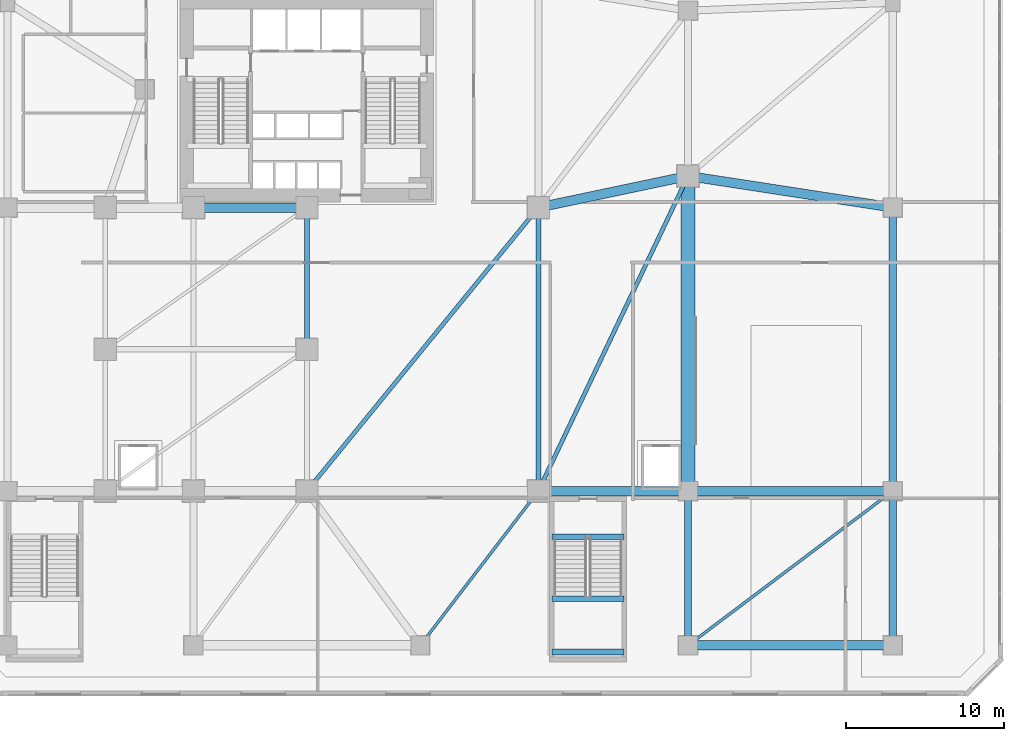
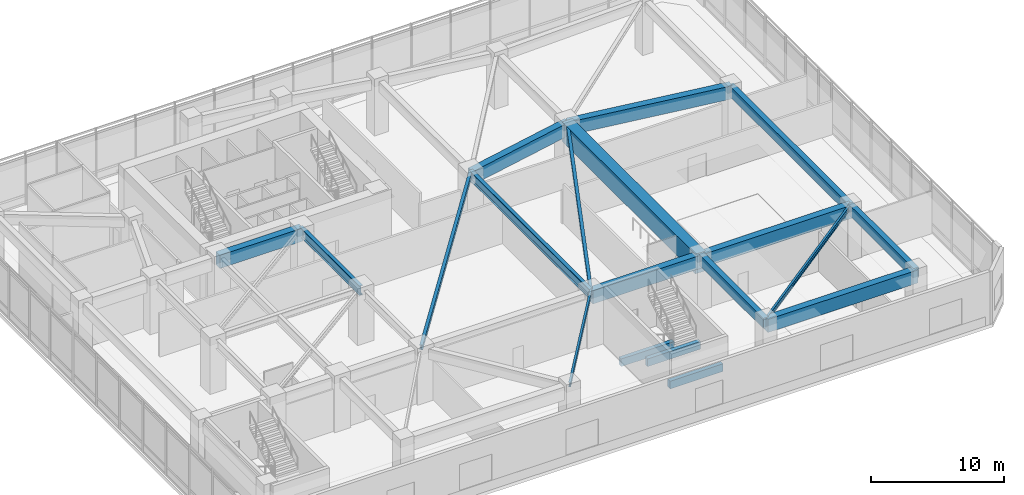
# One storey, part 4 of 15: 19 beams.
"""IFC4 building model written with IfcOpenShell, lengths in metres."""

from ifc_helpers import new_model, si_unit, direction, frame, origin, origin_2d, place, context, subcontext, project, spatial, rectangle, i_section, extrude, source, transform, mapped, material, material_profile, profile_set, type_object, element, save


model = new_model("IFC4")

# Units and contexts
model_context = context("Model", 3, precision=1e-05, world=origin(), true_north=direction((0.0, 1.0)))
body_context = subcontext(model_context, "Body", "Model", "MODEL_VIEW")
ifc_project = project(units=[si_unit("LENGTHUNIT", "METRE"), si_unit("AREAUNIT", "SQUARE_METRE"), si_unit("VOLUMEUNIT", "CUBIC_METRE"), si_unit("PLANEANGLEUNIT", "RADIAN"), si_unit("MASSUNIT", "GRAM", prefix="KILO")], contexts=[model_context])

# Site, building, storey
site_placement = place(None, origin())
site = spatial("IfcSite", under=ifc_project, at=site_placement, CompositionType="ELEMENT")
building_placement = place(site_placement, origin())
building = spatial("IfcBuilding", under=site, at=building_placement, Name="Calvemar Wedge Station Tower", CompositionType="ELEMENT")
storey_placement = place(building_placement, frame((0.0, 0.0, 16.39990234375)))
storey = spatial("IfcBuildingStorey", under=building, at=storey_placement, Name="L04", CompositionType="ELEMENT", Elevation=16.39990234375)

# Beams
ifc_material_1 = material(Name="Concrete C70", Category="concrete")
ifc_material_profile_1 = material_profile(ifc_material_1, rectangle(XDim=0.35009765625, YDim=0.699951171875, at=origin_2d()), Name="RC350x700")
ifc_profile_set_1 = profile_set([ifc_material_profile_1], Name="Concrete C70")
beam_type_1 = type_object("IfcBeamType", Name="BM-LN1-700", PredefinedType="LINTEL", material=ifc_profile_set_1)
shared_shape_1 = source(origin(), body_context, "Body", "SweptSolid", [
    extrude(rectangle(XDim=0.35009765625, YDim=0.699951171875, at=origin_2d()), origin(), (0.0, 0.0, 1.0), 4.599853515625),
])
for number, where, z_axis, x_axis, name in (
    (1, (39.35009765625, 12.10009765625, -0.349853515625), (1.0, 0.0, 0.0), (0.0, 1.0, 0.0), "Storey L04 Stair ST-P2 Landing Trimmer Beam"),
    (2, (39.35009765625, 4.780029296875, 2.050048828125), (1.0, 0.0, 0.0), (0.0, 1.0, 0.0), "Storey L04 Stair ST-P2 Half-Landing Beam 1A"),
    (3, (39.35009765625, 8.14990234375, 2.050048828125), (1.0, 0.0, 0.0), (0.0, 1.0, 0.0), "Storey L04 Stair ST-P2 Half-Landing Beam 1B"),
):
    element("IfcBeam", number, at=place(storey_placement, frame(where, z_axis=z_axis, x_axis=x_axis)), inside=storey, type_object=beam_type_1, Name=name, PredefinedType="LINTEL", context=body_context, shape_type="MappedRepresentation", body=[
        mapped(shared_shape_1, transform((0.0, 0.0, 0.0), scale=1.0)),
    ])
ifc_material_2 = material(Name="Concrete C60", Category="concrete")
ifc_material_profile_2 = material_profile(ifc_material_2, rectangle(XDim=0.60009765625, YDim=1.199951171875, at=origin_2d()), Name="RC600x1200")
ifc_profile_set_2 = profile_set([ifc_material_profile_2], Name="Concrete C60")
beam_type_2 = type_object("IfcBeamType", Name="BM-G1-1200", PredefinedType="BEAM", material=ifc_profile_set_2)
shared_shape_2 = source(origin(), body_context, "Body", "SweptSolid", [
    extrude(rectangle(XDim=0.60009765625, YDim=1.199951171875, at=origin_2d()), origin(), (0.0, 0.0, 1.0), 13.0),
])
for number, where, z_axis, x_axis, name in (
    (4, (48.0, 5.199951171875, 4.25), (1.0, 0.0, 0.0), (0.0, 1.0, 0.0), "Storey L04 Primary Girder G04"),
    (5, (48.0, 15.0, 4.25), (1.0, 0.0, 0.0), (0.0, 1.0, 0.0), "Storey L04 Primary Girder G10"),
):
    element("IfcBeam", number, at=place(storey_placement, frame(where, z_axis=z_axis, x_axis=x_axis)), inside=storey, type_object=beam_type_2, Name=name, PredefinedType="BEAM", context=body_context, shape_type="MappedRepresentation", body=[
        mapped(shared_shape_2, transform((0.0, 0.0, 0.0), scale=1.0)),
    ])
shared_shape_3 = source(origin(), body_context, "Body", "SweptSolid", [
    extrude(rectangle(XDim=0.60009765625, YDim=1.199951171875, at=origin_2d()), origin(), (0.0, 0.0, 1.0), 7.199951171875),
])
beam_1_placement = place(storey_placement, frame((16.60009765625, 33.0, 4.25), z_axis=(1.0, 0.0, 0.0), x_axis=(0.0, 1.0, 0.0)))
element("IfcBeam", 6, at=beam_1_placement, inside=storey, type_object=beam_type_2, Name="Storey L04 Primary Girder G13", PredefinedType="BEAM", context=body_context, shape_type="MappedRepresentation", body=[
    mapped(shared_shape_3, transform((0.0, 0.0, 0.0), scale=1.0)),
])
shared_shape_4 = source(origin(), body_context, "Body", "SweptSolid", [
    extrude(rectangle(XDim=0.60009765625, YDim=1.199951171875, at=origin_2d()), origin(), (0.0, 0.0, 1.0), 9.5),
])
beam_2_placement = place(storey_placement, frame((38.5, 15.0, 4.25), z_axis=(1.0, 0.0, 0.0), x_axis=(0.0, 1.0, 0.0)))
element("IfcBeam", 7, at=beam_2_placement, inside=storey, type_object=beam_type_2, Name="Storey L04 Primary Girder G09", PredefinedType="BEAM", context=body_context, shape_type="MappedRepresentation", body=[
    mapped(shared_shape_4, transform((0.0, 0.0, 0.0), scale=1.0)),
])
shared_shape_5 = source(origin(), body_context, "Body", "SweptSolid", [
    extrude(rectangle(XDim=0.60009765625, YDim=1.199951171875, at=origin_2d()), origin(), (0.0, 0.0, 1.0), 9.708251953125),
])
beam_3_placement = place(storey_placement, frame((38.5, 33.0, 4.25), z_axis=(0.978549784987, 0.20601048105, 0.0), x_axis=(-0.20601048105, 0.978549784987, 0.0)))
element("IfcBeam", 8, at=beam_3_placement, inside=storey, type_object=beam_type_2, Name="Storey L04 Primary Girder G16", PredefinedType="BEAM", context=body_context, shape_type="MappedRepresentation", body=[
    mapped(shared_shape_5, transform((0.0, 0.0, 0.0), scale=1.0)),
])
shared_shape_6 = source(origin(), body_context, "Body", "SweptSolid", [
    extrude(rectangle(XDim=0.60009765625, YDim=1.199951171875, at=origin_2d()), origin(), (0.0, 0.0, 1.0), 13.15283203125),
])
beam_4_placement = place(storey_placement, frame((48.0, 35.0, 4.25), z_axis=(0.988371697651, -0.152057184254, 0.0), x_axis=(0.152057184254, 0.988371697651, 0.0)))
element("IfcBeam", 9, at=beam_4_placement, inside=storey, type_object=beam_type_2, Name="Storey L04 Primary Girder G17", PredefinedType="BEAM", context=body_context, shape_type="MappedRepresentation", body=[
    mapped(shared_shape_6, transform((0.0, 0.0, 0.0), scale=1.0)),
])
ifc_material_3 = material(Name="Concrete C50", Category="concrete")
ifc_material_profile_3 = material_profile(ifc_material_3, rectangle(XDim=0.449951171875, YDim=0.949951171875, at=origin_2d()), Name="RC450x950")
ifc_profile_set_3 = profile_set([ifc_material_profile_3], Name="Concrete C50")
beam_type_3 = type_object("IfcBeamType", Name="BM-G2-950", PredefinedType="BEAM", material=ifc_profile_set_3)
shared_shape_7 = source(origin(), body_context, "Body", "SweptSolid", [
    extrude(rectangle(XDim=0.449951171875, YDim=0.949951171875, at=origin_2d()), origin(), (0.0, 0.0, 1.0), 18.0),
])
beam_5_placement = place(storey_placement, frame((61.0, 15.0, 4.375), z_axis=(0.0, 1.0, 0.0), x_axis=(-1.0, 0.0, 0.0)))
element("IfcBeam", 10, at=beam_5_placement, inside=storey, type_object=beam_type_3, Name="Storey L04 Primary Girder G26", PredefinedType="BEAM", context=body_context, shape_type="MappedRepresentation", body=[
    mapped(shared_shape_7, transform((0.0, 0.0, 0.0), scale=1.0)),
])
ifc_material_4 = material(Name="Structural steel ASTM A572 Grade 50", Category="steel")
ifc_material_profile_4 = material_profile(ifc_material_4, i_section(OverallWidth=0.303955078125, OverallDepth=0.862060546875, WebThickness=0.019775390625, FlangeThickness=0.035888671875, FilletRadius=0.02001953125, at=origin_2d()), Name="W840x329")
ifc_profile_set_4 = profile_set([ifc_material_profile_4], Name="Structural steel ASTM A572 Grade 50")
beam_type_4 = type_object("IfcBeamType", Name="BM-TR2-W840", PredefinedType="BEAM", material=ifc_profile_set_4)
shared_shape_8 = source(origin(), body_context, "Body", "SweptSolid", [
    extrude(i_section(OverallWidth=0.303955078125, OverallDepth=0.862060546875, WebThickness=0.019775390625, FlangeThickness=0.035888671875, FilletRadius=0.02001953125, at=origin_2d()), origin(), (0.0, 0.0, 1.0), 9.0),
])
beam_6_placement = place(storey_placement, frame((23.800048828125, 24.0, 4.419189453125), z_axis=(0.0, 1.0, 0.0), x_axis=(-1.0, 0.0, 0.0)))
element("IfcBeam", 11, at=beam_6_placement, inside=storey, type_object=beam_type_4, Name="Storey L04 Primary Girder G23", PredefinedType="BEAM", context=body_context, shape_type="MappedRepresentation", body=[
    mapped(shared_shape_8, transform((0.0, 0.0, 0.0), scale=1.0)),
])
shared_shape_9 = source(origin(), body_context, "Body", "SweptSolid", [
    extrude(i_section(OverallWidth=0.303955078125, OverallDepth=0.862060546875, WebThickness=0.019775390625, FlangeThickness=0.035888671875, FilletRadius=0.02001953125, at=origin_2d()), origin(), (0.0, 0.0, 1.0), 18.0),
])
beam_7_placement = place(storey_placement, frame((38.5, 15.0, 4.419189453125), z_axis=(0.0, 1.0, 0.0), x_axis=(-1.0, 0.0, 0.0)))
element("IfcBeam", 12, at=beam_7_placement, inside=storey, type_object=beam_type_4, Name="Storey L04 Primary Girder G24", PredefinedType="BEAM", context=body_context, shape_type="MappedRepresentation", body=[
    mapped(shared_shape_9, transform((0.0, 0.0, 0.0), scale=1.0)),
])
ifc_material_profile_5 = material_profile(ifc_material_2, rectangle(XDim=0.89990234375, YDim=1.800048828125, at=origin_2d()), Name="RC900x1800")
ifc_profile_set_5 = profile_set([ifc_material_profile_5], Name="Concrete C60")
beam_type_5 = type_object("IfcBeamType", Name="BM-TG2-1800", PredefinedType="BEAM", material=ifc_profile_set_5)
shared_shape_10 = source(origin(), body_context, "Body", "SweptSolid", [
    extrude(rectangle(XDim=0.89990234375, YDim=1.800048828125, at=origin_2d()), origin(), (0.0, 0.0, 1.0), 20.0),
])
beam_8_placement = place(storey_placement, frame((48.0, 15.0, 3.9501953125), z_axis=(0.0, 1.0, 0.0), x_axis=(-1.0, 0.0, 0.0)))
element("IfcBeam", 13, at=beam_8_placement, inside=storey, type_object=beam_type_5, Name="Storey L04 Primary Girder G25", PredefinedType="BEAM", context=body_context, shape_type="MappedRepresentation", body=[
    mapped(shared_shape_10, transform((0.0, 0.0, 0.0), scale=1.0)),
])
shared_shape_11 = source(origin(), body_context, "Body", "SweptSolid", [
    extrude(rectangle(XDim=0.449951171875, YDim=0.949951171875, at=origin_2d()), origin(), (0.0, 0.0, 1.0), 9.800048828125),
])
for number, where, z_axis, x_axis, name in (
    (14, (48.0, 5.199951171875, 4.375), (0.0, 1.0, 0.0), (-1.0, 0.0, 0.0), "Storey L04 Primary Girder G31"),
    (15, (61.0, 5.199951171875, 4.375), (0.0, 1.0, 0.0), (-1.0, 0.0, 0.0), "Storey L04 Primary Girder G32"),
):
    element("IfcBeam", number, at=place(storey_placement, frame(where, z_axis=z_axis, x_axis=x_axis)), inside=storey, type_object=beam_type_3, Name=name, PredefinedType="BEAM", context=body_context, shape_type="MappedRepresentation", body=[
        mapped(shared_shape_11, transform((0.0, 0.0, 0.0), scale=1.0)),
    ])
ifc_material_profile_6 = material_profile(ifc_material_4, i_section(OverallWidth=0.260986328125, OverallDepth=0.419921875, WebThickness=0.01171875, FlangeThickness=0.019287109375, FilletRadius=0.012939453125, at=origin_2d()), Name="W410x114")
ifc_profile_set_6 = profile_set([ifc_material_profile_6], Name="Structural steel ASTM A572 Grade 50")
beam_type_6 = type_object("IfcBeamType", Name="BM-J2-W410H", PredefinedType="JOIST", material=ifc_profile_set_6)
shared_shape_12 = source(origin(), body_context, "Body", "SweptSolid", [
    extrude(i_section(OverallWidth=0.260986328125, OverallDepth=0.419921875, WebThickness=0.01171875, FlangeThickness=0.019287109375, FilletRadius=0.012939453125, at=origin_2d()), origin(), (0.0, 0.0, 1.0), 23.23974609375),
])
beam_9_placement = place(storey_placement, frame((23.800048828125, 15.0, 4.64013671875), z_axis=(0.632533310438, 0.774533156931, 0.0), x_axis=(-0.774533156931, 0.632533310438, 0.0)))
element("IfcBeam", 16, at=beam_9_placement, inside=storey, type_object=beam_type_6, Name="Storey L04 Concourse Cross Joist 3", PredefinedType="JOIST", context=body_context, shape_type="MappedRepresentation", body=[
    mapped(shared_shape_12, transform((0.0, 0.0, 0.0), scale=1.0)),
])
shared_shape_13 = source(origin(), body_context, "Body", "SweptSolid", [
    extrude(i_section(OverallWidth=0.260986328125, OverallDepth=0.419921875, WebThickness=0.01171875, FlangeThickness=0.019287109375, FilletRadius=0.012939453125, at=origin_2d()), origin(), (0.0, 0.0, 1.0), 22.1416015625),
])
beam_10_placement = place(storey_placement, frame((38.5, 15.0, 4.64013671875), z_axis=(0.429056814568, 0.903277504354, 0.0), x_axis=(-0.903277504354, 0.429056814568, 0.0)))
element("IfcBeam", 17, at=beam_10_placement, inside=storey, type_object=beam_type_6, Name="Storey L04 Concourse Cross Joist 4", PredefinedType="JOIST", context=body_context, shape_type="MappedRepresentation", body=[
    mapped(shared_shape_13, transform((0.0, 0.0, 0.0), scale=1.0)),
])
ifc_material_profile_7 = material_profile(ifc_material_4, i_section(OverallWidth=0.177978515625, OverallDepth=0.406982421875, WebThickness=0.0078125, FlangeThickness=0.0126953125, FilletRadius=0.010009765625, at=origin_2d()), Name="W410x60")
ifc_profile_set_7 = profile_set([ifc_material_profile_7], Name="Structural steel ASTM A572 Grade 50")
beam_type_7 = type_object("IfcBeamType", Name="BM-J3-W410", PredefinedType="JOIST", material=ifc_profile_set_7)
shared_shape_14 = source(origin(), body_context, "Body", "SweptSolid", [
    extrude(i_section(OverallWidth=0.177978515625, OverallDepth=0.406982421875, WebThickness=0.0078125, FlangeThickness=0.0126953125, FilletRadius=0.010009765625, at=origin_2d()), origin(), (0.0, 0.0, 1.0), 12.340576171875),
])
beam_11_placement = place(storey_placement, frame((31.0, 5.199951171875, 4.646484375), z_axis=(0.60774893356, 0.794129229884, 0.0), x_axis=(-0.794129229884, 0.60774893356, 0.0)))
element("IfcBeam", 18, at=beam_11_placement, inside=storey, type_object=beam_type_7, Name="Storey L04 Concourse Cross Joist 7", PredefinedType="JOIST", context=body_context, shape_type="MappedRepresentation", body=[
    mapped(shared_shape_14, transform((0.0, 0.0, 0.0), scale=1.0)),
])
shared_shape_15 = source(origin(), body_context, "Body", "SweptSolid", [
    extrude(i_section(OverallWidth=0.177978515625, OverallDepth=0.406982421875, WebThickness=0.0078125, FlangeThickness=0.0126953125, FilletRadius=0.010009765625, at=origin_2d()), origin(), (0.0, 0.0, 1.0), 16.280029296875),
])
beam_12_placement = place(storey_placement, frame((48.0, 5.199951171875, 4.646484375), z_axis=(0.798521946551, 0.601965697425, 0.0), x_axis=(-0.601965697425, 0.798521946551, 0.0)))
element("IfcBeam", 19, at=beam_12_placement, inside=storey, type_object=beam_type_7, Name="Storey L04 Concourse Cross Joist 8", PredefinedType="JOIST", context=body_context, shape_type="MappedRepresentation", body=[
    mapped(shared_shape_15, transform((0.0, 0.0, 0.0), scale=1.0)),
])

save(model, "model.ifc")
